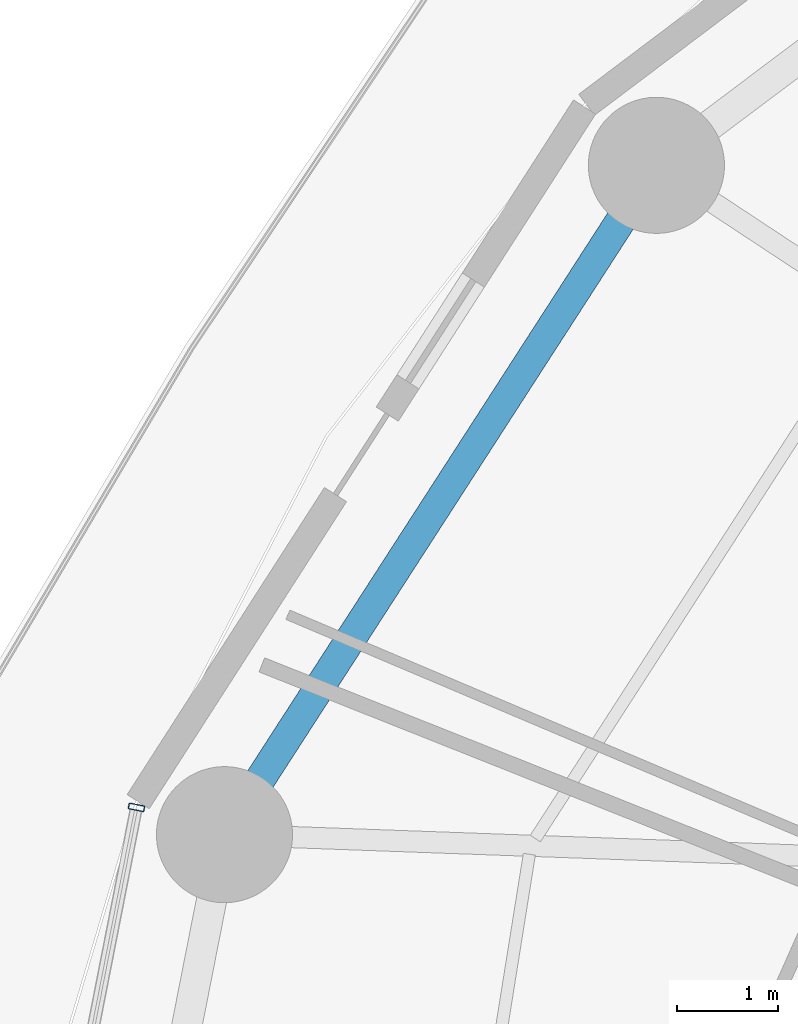
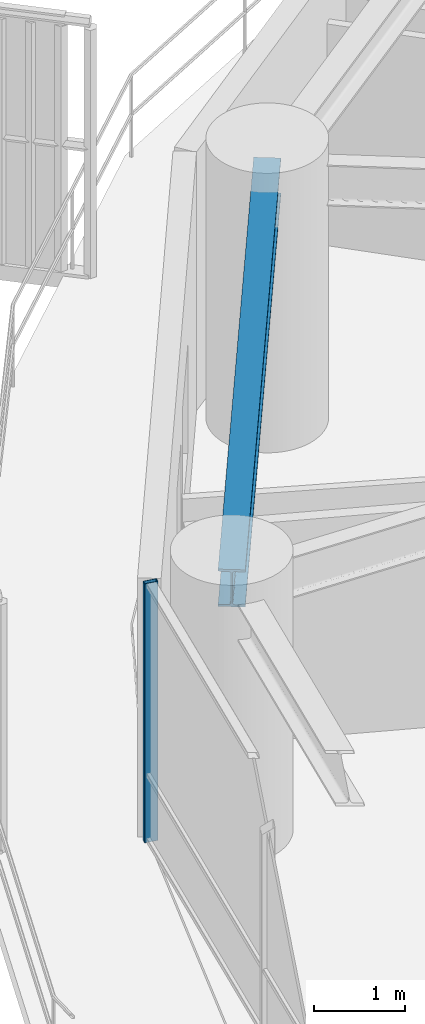
# One storey, part 15 of 33: 1 beam, 1 member, 1 element without a shape of its own.
"""IFC4 building model written with IfcOpenShell, lengths in metres."""

from ifc_helpers import new_model, si_unit, direction, frame, origin, origin_2d, place, context, subcontext, project, spatial, hollow_rectangle, i_section, extrude, material, layer, layer_set, material_profile, profile_set, type_object, element, aggregate, save


model = new_model("IFC4")

# Units and contexts
model_context = context("Model", 3, precision=1e-05, world=origin(), true_north=direction((0.0, 1.0)))
body_context = subcontext(model_context, "Body", "Model", "MODEL_VIEW")
ifc_project = project(units=[si_unit("LENGTHUNIT", "METRE"), si_unit("AREAUNIT", "SQUARE_METRE"), si_unit("VOLUMEUNIT", "CUBIC_METRE"), si_unit("PLANEANGLEUNIT", "RADIAN"), si_unit("MASSUNIT", "GRAM", prefix="KILO")], contexts=[model_context])

# Site, building, storey
site_placement = place(None, origin())
site = spatial("IfcSite", under=ifc_project, at=site_placement, CompositionType="ELEMENT")
building_placement = place(site_placement, origin())
building = spatial("IfcBuilding", under=site, at=building_placement, Name="Kelanora Arch Commons", CompositionType="ELEMENT")
storey_placement = place(building_placement, frame((0.0, 0.0, 83.85009765625)))
storey = spatial("IfcBuildingStorey", under=building, at=storey_placement, Name="L21", CompositionType="ELEMENT", Elevation=83.85009765625)

# Beam
ifc_material_1 = material(Name="Steel S355", Category="steel")
ifc_material_profile_1 = material_profile(ifc_material_1, i_section(OverallWidth=0.300048828125, OverallDepth=0.5, WebThickness=0.014404296875, FlangeThickness=0.028076171875, FilletRadius=0.027099609375, at=origin_2d()), Name="HEB500")
ifc_profile_set_1 = profile_set([ifc_material_profile_1], Name="Steel S355")
beam_type = type_object("IfcBeamType", Name="BM-SPN-Z2", PredefinedType="SPANDREL", material=ifc_profile_set_1)
beam_placement = place(storey_placement, frame((55.093994140625, 72.19287109375, 3.239990234375), z_axis=(-0.542221144054, -0.840235818649, 0.0), x_axis=(0.840235818649, -0.542221144054, 0.0)))
element("IfcBeam", 1, at=beam_placement, inside=storey, type_object=beam_type, Name="Perimeter Spandrel Beam BS-14 L21", PredefinedType="SPANDREL", context=body_context, shape_type="SweptSolid", body=[
    extrude(i_section(OverallWidth=0.300048828125, OverallDepth=0.5, WebThickness=0.014404296875, FlangeThickness=0.028076171875, FilletRadius=0.027099609375, at=origin_2d()), origin(), (0.0, 0.0, 1.0), 7.90380859375),
])

# Curtain wall, member
ifc_material_2 = material(Name="Terracotta ceramic-fritted low-E glass and aluminium", Category="masonry")
ifc_layer = layer(ifc_material_2, 0.159912109375)
ifc_layer_set = layer_set([ifc_layer], Name="Terracotta ceramic-fritted low-E glass and aluminium")
curtain_wall_type = type_object("IfcCurtainWallType", Name="CW-SYS-01", PredefinedType="NOTDEFINED", material=ifc_layer_set)
curtain_wall_placement = place(storey_placement, origin())
curtain_wall = element("IfcCurtainWall", 2, at=curtain_wall_placement, inside=storey, type_object=curtain_wall_type, Name="Unitised Curtain Wall L21-B08", PredefinedType="NOTDEFINED")
ifc_material_3 = material(Name="Powder-coated aluminium terracotta", Category="masonry")
ifc_material_profile_2 = material_profile(ifc_material_3, hollow_rectangle(XDim=0.159912109375, YDim=0.06005859375, WallThickness=0.0048828125, InnerFilletRadius=0.0048828125, OuterFilletRadius=0.010009765625, at=origin_2d()), Name="CWM160x60")
ifc_profile_set_2 = profile_set([ifc_material_profile_2], Name="Powder-coated aluminium terracotta")
member_type = type_object("IfcMemberType", Name="CWM-STD", PredefinedType="MULLION", material=ifc_profile_set_2)
member_placement = place(storey_placement, frame((49.935302734375, 65.822265625, 0.0), z_axis=(0.0, 0.0, 1.0), x_axis=(0.981280311646, -0.192584916272, 0.0)))
member = element("IfcMember", 3, at=member_placement, type_object=member_type, Name="CW-01 mullion 1", PredefinedType="MULLION", context=body_context, shape_type="SweptSolid", body=[
    extrude(hollow_rectangle(XDim=0.159912109375, YDim=0.06005859375, WallThickness=0.0048828125, InnerFilletRadius=0.0048828125, OuterFilletRadius=0.010009765625, at=origin_2d()), origin(), (0.0, 0.0, 1.0), 3.474853515625),
])
aggregate(curtain_wall, [member])

save(model, "model.ifc")
